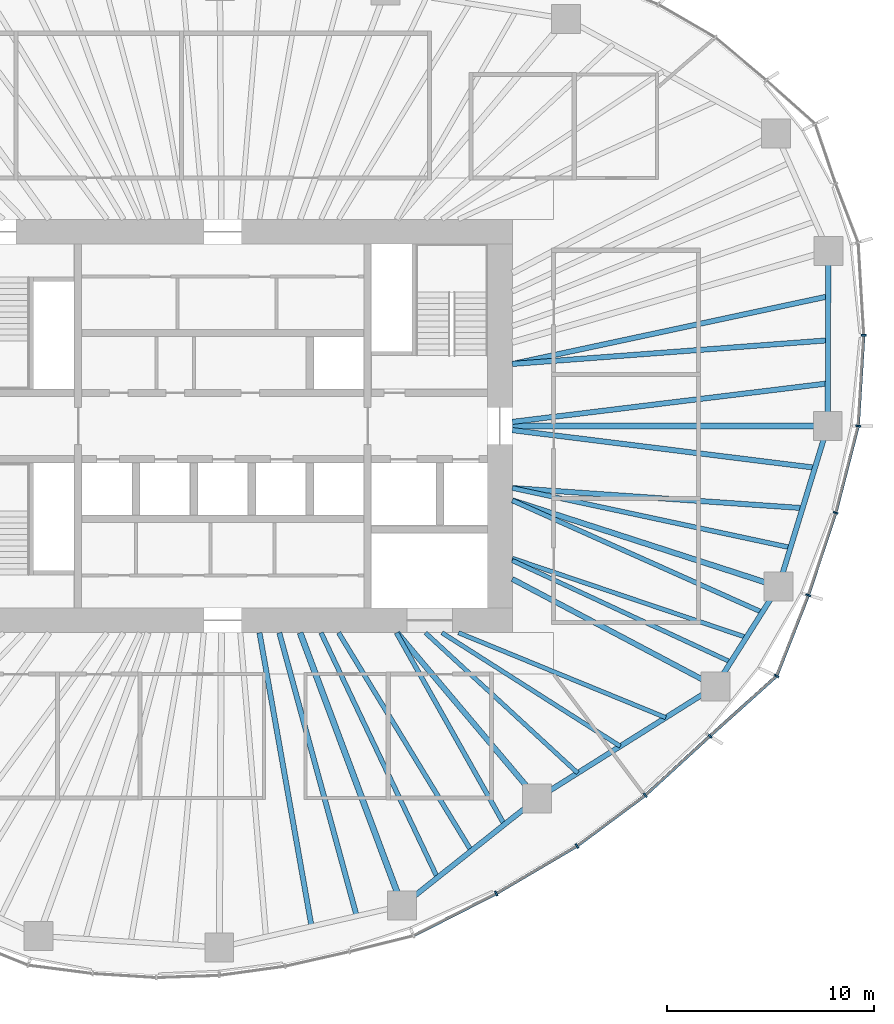
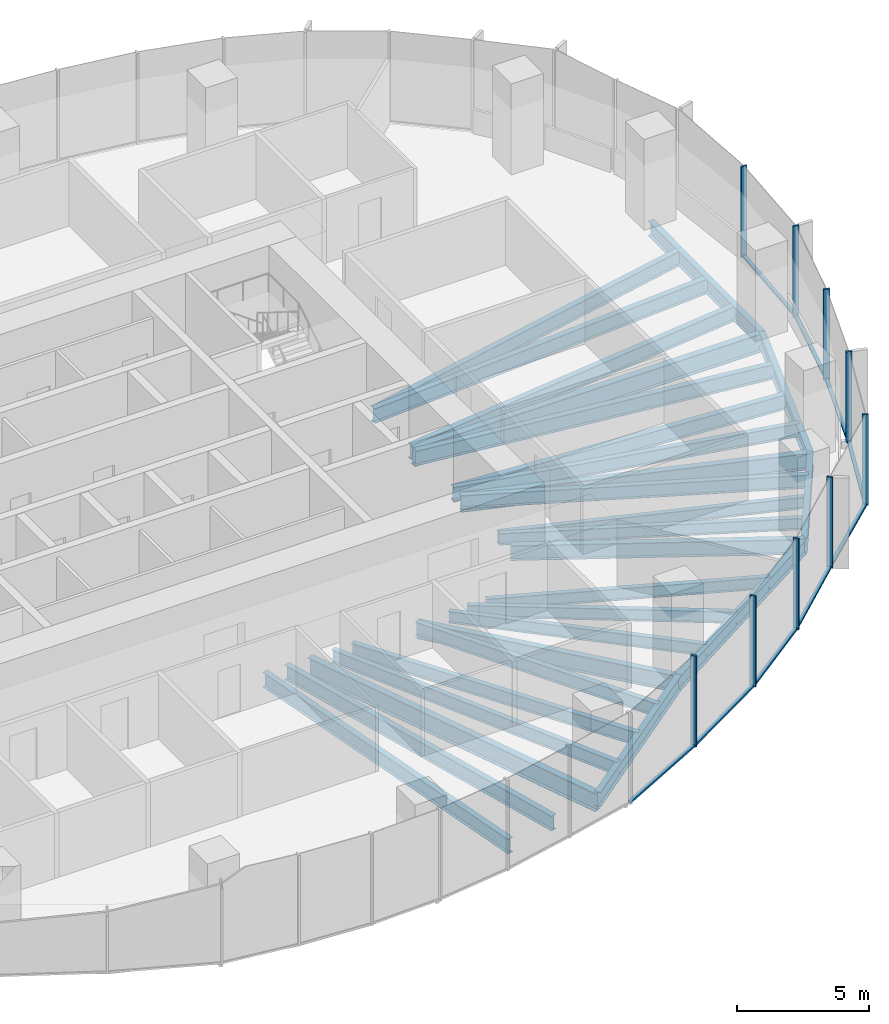
# One storey, part 4 of 18: 27 beams, 18 members, 5 elements without a shape of their own.
"""IFC4 building model written with IfcOpenShell, lengths in metres."""

from ifc_helpers import new_model, si_unit, direction, frame, origin, origin_2d, place, context, subcontext, project, spatial, rectangle, i_section, extrude, material, material_profile, profile_set, type_object, element, aggregate, save


model = new_model("IFC4")

# Units and contexts
model_context = context("Model", 3, precision=1e-05, world=origin(), true_north=direction((0.0, 1.0)))
body_context = subcontext(model_context, "Body", "Model", "MODEL_VIEW")
ifc_project = project(units=[si_unit("LENGTHUNIT", "METRE"), si_unit("AREAUNIT", "SQUARE_METRE"), si_unit("VOLUMEUNIT", "CUBIC_METRE"), si_unit("PLANEANGLEUNIT", "RADIAN"), si_unit("MASSUNIT", "GRAM", prefix="KILO")], contexts=[model_context])

# Site, building, storey
site_placement = place(None, origin())
site = spatial("IfcSite", under=ifc_project, at=site_placement, CompositionType="ELEMENT")
building_placement = place(site_placement, origin())
building = spatial("IfcBuilding", under=site, at=building_placement, Name="Ghaith Harvest Tower", CompositionType="ELEMENT")
storey_placement = place(building_placement, frame((0.0, 0.0, 176.39990234375)))
storey = spatial("IfcBuildingStorey", under=building, at=storey_placement, Name="L38", CompositionType="ELEMENT", Elevation=176.39990234375)

# Curtain wall, members
ifc_material_1 = material(Name="Black anodised aluminium and fritted glass", Category="aluminium")
curtain_wall_type = type_object("IfcCurtainWallType", Name="CW-L CURTAIN WALL", PredefinedType="NOTDEFINED", material=ifc_material_1)
curtain_wall_1_placement = place(storey_placement, origin())
curtain_wall_1 = element("IfcCurtainWall", 1, at=curtain_wall_1_placement, inside=storey, type_object=curtain_wall_type, Name="Curtain wall CW-L bay 01 L38", PredefinedType="NOTDEFINED")
ifc_material_2 = material(Name="Aluminium, black anodised", Category="aluminium")
ifc_material_profile_1 = material_profile(ifc_material_2, rectangle(XDim=0.080078125, YDim=0.239990234375, at=origin_2d()), Name="CW-L MULLION 80x240")
ifc_profile_set_1 = profile_set([ifc_material_profile_1], Name="Aluminium, black anodised")
member_type_1 = type_object("IfcMemberType", Name="CW-L MULLION 80x240", PredefinedType="MULLION", material=ifc_profile_set_1)
member_1_placement = place(storey_placement, frame((30.728759765625, 0.0, 0.0), z_axis=(0.0, 0.0, 1.0), x_axis=(0.155597142981, 0.987820595602, 0.0)))
member_1 = element("IfcMember", 2, at=member_1_placement, type_object=member_type_1, Name="CW-L mullion 1 bay 01 L38", PredefinedType="MULLION", context=body_context, shape_type="SweptSolid", body=[
    extrude(rectangle(XDim=0.080078125, YDim=0.239990234375, at=origin_2d()), origin(), (0.0, 0.0, 1.0), 4.2001953125),
])
member_2_placement = place(storey_placement, frame((30.998779296875, 4.389892578125, 0.0), z_axis=(0.0, 0.0, 1.0), x_axis=(-0.000162467394, 0.999999986802, 0.0)))
member_2 = element("IfcMember", 3, at=member_2_placement, type_object=member_type_1, Name="CW-L mullion 2 bay 01 L38", PredefinedType="MULLION", context=body_context, shape_type="SweptSolid", body=[
    extrude(rectangle(XDim=0.080078125, YDim=0.239990234375, at=origin_2d()), origin(), (0.0, 0.0, 1.0), 4.2001953125),
])

# Curtain wall, member
curtain_wall_2_placement = place(storey_placement, origin())
curtain_wall_2 = element("IfcCurtainWall", 4, at=curtain_wall_2_placement, inside=storey, type_object=curtain_wall_type, Name="Curtain wall CW-L bay 17 L38", PredefinedType="NOTDEFINED")
member_3_placement = place(storey_placement, frame((13.224365234375, -22.614013671875, 0.0), z_axis=(0.0, 0.0, 1.0), x_axis=(0.876898762173, 0.480675109507, 0.0)))
member_3 = element("IfcMember", 5, at=member_3_placement, type_object=member_type_1, Name="CW-L mullion 2 bay 17 L38", PredefinedType="MULLION", context=body_context, shape_type="SweptSolid", body=[
    extrude(rectangle(XDim=0.080078125, YDim=0.239990234375, at=origin_2d()), origin(), (0.0, 0.0, 1.0), 4.2001953125),
])

# Curtain wall, members
curtain_wall_3_placement = place(storey_placement, origin())
curtain_wall_3 = element("IfcCurtainWall", 6, at=curtain_wall_3_placement, inside=storey, type_object=curtain_wall_type, Name="Curtain wall CW-L bay 18 L38", PredefinedType="NOTDEFINED")
member_4_placement = place(storey_placement, frame((17.1318359375, -20.31591796875, 0.0), z_axis=(0.0, 0.0, 1.0), x_axis=(0.834887453241, 0.550420694035, 0.0)))
member_4 = element("IfcMember", 7, at=member_4_placement, type_object=member_type_1, Name="CW-L mullion 1 bay 18 L38", PredefinedType="MULLION", context=body_context, shape_type="SweptSolid", body=[
    extrude(rectangle(XDim=0.080078125, YDim=0.239990234375, at=origin_2d()), origin(), (0.0, 0.0, 1.0), 4.2001953125),
])
member_5_placement = place(storey_placement, frame((20.4296875, -17.86376953125, 0.0), z_axis=(0.0, 0.0, 1.0), x_axis=(0.770306399656, 0.637673937564, 0.0)))
member_5 = element("IfcMember", 8, at=member_5_placement, type_object=member_type_1, Name="CW-L mullion 2 bay 18 L38", PredefinedType="MULLION", context=body_context, shape_type="SweptSolid", body=[
    extrude(rectangle(XDim=0.080078125, YDim=0.239990234375, at=origin_2d()), origin(), (0.0, 0.0, 1.0), 4.2001953125),
])

curtain_wall_4_placement = place(storey_placement, origin())
curtain_wall_4 = element("IfcCurtainWall", 9, at=curtain_wall_4_placement, inside=storey, type_object=curtain_wall_type, Name="Curtain wall CW-L bay 19 L38", PredefinedType="NOTDEFINED")
member_6_placement = place(storey_placement, frame((23.560546875, -14.994140625, 0.0), z_axis=(0.0, 0.0, 1.0), x_axis=(0.740389054945, 0.672178582906, 0.0)))
member_6 = element("IfcMember", 10, at=member_6_placement, type_object=member_type_1, Name="CW-L mullion 1 bay 19 L38", PredefinedType="MULLION", context=body_context, shape_type="SweptSolid", body=[
    extrude(rectangle(XDim=0.080078125, YDim=0.239990234375, at=origin_2d()), origin(), (0.0, 0.0, 1.0), 4.2001953125),
])
member_7_placement = place(storey_placement, frame((26.786376953125, -12.0927734375, 0.0), z_axis=(0.0, 0.0, 1.0), x_axis=(0.572853476908, 0.819657790785, 0.0)))
member_7 = element("IfcMember", 11, at=member_7_placement, type_object=member_type_1, Name="CW-L mullion 2 bay 19 L38", PredefinedType="MULLION", context=body_context, shape_type="SweptSolid", body=[
    extrude(rectangle(XDim=0.080078125, YDim=0.239990234375, at=origin_2d()), origin(), (0.0, 0.0, 1.0), 4.2001953125),
])

curtain_wall_5_placement = place(storey_placement, origin())
curtain_wall_5 = element("IfcCurtainWall", 12, at=curtain_wall_5_placement, inside=storey, type_object=curtain_wall_type, Name="Curtain wall CW-L bay 20 L38", PredefinedType="NOTDEFINED")
member_8_placement = place(storey_placement, frame((28.319580078125, -8.184814453125, 0.0), z_axis=(0.0, 0.0, 1.0), x_axis=(0.34057402484, 0.94021770543, 0.0)))
member_8 = element("IfcMember", 13, at=member_8_placement, type_object=member_type_1, Name="CW-L mullion 1 bay 20 L38", PredefinedType="MULLION", context=body_context, shape_type="SweptSolid", body=[
    extrude(rectangle(XDim=0.080078125, YDim=0.239990234375, at=origin_2d()), origin(), (0.0, 0.0, 1.0), 4.2001953125),
])
member_9_placement = place(storey_placement, frame((29.64599609375, -4.1982421875, 0.0), z_axis=(0.0, 0.0, 1.0), x_axis=(0.282375140161, 0.959304060358, 0.0)))
member_9 = element("IfcMember", 14, at=member_9_placement, type_object=member_type_1, Name="CW-L mullion 2 bay 20 L38", PredefinedType="MULLION", context=body_context, shape_type="SweptSolid", body=[
    extrude(rectangle(XDim=0.080078125, YDim=0.239990234375, at=origin_2d()), origin(), (0.0, 0.0, 1.0), 4.2001953125),
])

# Member
ifc_material_3 = material(Name="Aluminium, black anodised", Category="aluminium")
ifc_material_profile_2 = material_profile(ifc_material_3, rectangle(XDim=0.14990234375, YDim=0.080078125, at=origin_2d()), Name="CW-L TRANSOM 150x80")
ifc_profile_set_2 = profile_set([ifc_material_profile_2], Name="Aluminium, black anodised")
member_type_2 = type_object("IfcMemberType", Name="CW-L TRANSOM 150x80", PredefinedType="USERDEFINED", material=ifc_profile_set_2)
member_10_placement = place(storey_placement, frame((30.731201171875, 0.0400390625, 0.0400390625), z_axis=(0.061403204251, 0.99811304295, 0.0), x_axis=(-0.99811304295, 0.061403204251, 0.0)))
member_10 = element("IfcMember", 15, at=member_10_placement, type_object=member_type_2, Name="CW-L transom 1 bay 01 L38", ObjectType="TRANSOM", PredefinedType="USERDEFINED", context=body_context, shape_type="SweptSolid", body=[
    extrude(rectangle(XDim=0.14990234375, YDim=0.080078125, at=origin_2d()), origin(), (0.0, 0.0, 1.0), 4.31787109375),
])

aggregate(curtain_wall_1, [member_1, member_10, member_2])

member_11_placement = place(storey_placement, frame((9.25244140625, -24.636474609375, 0.0400390625), z_axis=(0.891120044719, 0.453767634258, 0.0), x_axis=(-0.453767634258, 0.891120044719, 0.0)))
member_11 = element("IfcMember", 16, at=member_11_placement, type_object=member_type_2, Name="CW-L transom 1 bay 17 L38", ObjectType="TRANSOM", PredefinedType="USERDEFINED", context=body_context, shape_type="SweptSolid", body=[
    extrude(rectangle(XDim=0.14990234375, YDim=0.080078125, at=origin_2d()), origin(), (0.0, 0.0, 1.0), 4.417236328125),
])

member_12_placement = place(storey_placement, frame((13.259033203125, -22.59375, 0.0400390625), z_axis=(0.86196381091, 0.506969810424, 0.0), x_axis=(-0.506969810424, 0.86196381091, 0.0)))
member_12 = element("IfcMember", 17, at=member_12_placement, type_object=member_type_2, Name="CW-L transom 2 bay 17 L38", ObjectType="TRANSOM", PredefinedType="USERDEFINED", context=body_context, shape_type="SweptSolid", body=[
    extrude(rectangle(XDim=0.14990234375, YDim=0.080078125, at=origin_2d()), origin(), (0.0, 0.0, 1.0), 4.453125),
])

aggregate(curtain_wall_2, [member_11, member_3, member_12])

member_13_placement = place(storey_placement, frame((17.1640625, -20.2919921875, 0.0400390625), z_axis=(0.802465316609, 0.59669876457, 0.0), x_axis=(-0.59669876457, 0.802465316609, 0.0)))
member_13 = element("IfcMember", 18, at=member_13_placement, type_object=member_type_2, Name="CW-L transom 1 bay 18 L38", ObjectType="TRANSOM", PredefinedType="USERDEFINED", context=body_context, shape_type="SweptSolid", body=[
    extrude(rectangle(XDim=0.14990234375, YDim=0.080078125, at=origin_2d()), origin(), (0.0, 0.0, 1.0), 4.029296875),
])

member_14_placement = place(storey_placement, frame((20.459228515625, -17.836669921875, 0.0400390625), z_axis=(0.737197916434, 0.675676869521, 0.0), x_axis=(-0.675676869521, 0.737197916434, 0.0)))
member_14 = element("IfcMember", 19, at=member_14_placement, type_object=member_type_2, Name="CW-L transom 2 bay 18 L38", ObjectType="TRANSOM", PredefinedType="USERDEFINED", context=body_context, shape_type="SweptSolid", body=[
    extrude(rectangle(XDim=0.14990234375, YDim=0.080078125, at=origin_2d()), origin(), (0.0, 0.0, 1.0), 4.166748046875),
])

aggregate(curtain_wall_3, [member_4, member_13, member_5, member_14])

member_15_placement = place(storey_placement, frame((23.59033203125, -14.967529296875, 0.0400390625), z_axis=(0.74346800111, 0.668771509056, 0.0), x_axis=(-0.668771509056, 0.74346800111, 0.0)))
member_15 = element("IfcMember", 20, at=member_15_placement, type_object=member_type_2, Name="CW-L transom 1 bay 19 L38", ObjectType="TRANSOM", PredefinedType="USERDEFINED", context=body_context, shape_type="SweptSolid", body=[
    extrude(rectangle(XDim=0.14990234375, YDim=0.080078125, at=origin_2d()), origin(), (0.0, 0.0, 1.0), 4.2587890625),
])

member_16_placement = place(storey_placement, frame((26.801025390625, -12.055419921875, 0.0400390625), z_axis=(0.365228588652, 0.930917868575, 0.0), x_axis=(-0.930917868575, 0.365228588652, 0.0)))
member_16 = element("IfcMember", 21, at=member_16_placement, type_object=member_type_2, Name="CW-L transom 2 bay 19 L38", ObjectType="TRANSOM", PredefinedType="USERDEFINED", context=body_context, shape_type="SweptSolid", body=[
    extrude(rectangle(XDim=0.14990234375, YDim=0.080078125, at=origin_2d()), origin(), (0.0, 0.0, 1.0), 4.11767578125),
])

aggregate(curtain_wall_4, [member_6, member_15, member_7, member_16])

member_17_placement = place(storey_placement, frame((28.33203125, -8.14697265625, 0.0400390625), z_axis=(0.315712391444, 0.948854934059, 0.0), x_axis=(-0.948854934059, 0.315712391444, 0.0)))
member_17 = element("IfcMember", 22, at=member_17_placement, type_object=member_type_2, Name="CW-L transom 1 bay 20 L38", ObjectType="TRANSOM", PredefinedType="USERDEFINED", context=body_context, shape_type="SweptSolid", body=[
    extrude(rectangle(XDim=0.14990234375, YDim=0.080078125, at=origin_2d()), origin(), (0.0, 0.0, 1.0), 4.12158203125),
])

member_18_placement = place(storey_placement, frame((29.656005859375, -4.159423828125, 0.0400390625), z_axis=(0.249737470584, 0.968313583395, 0.0), x_axis=(-0.968313583395, 0.249737470584, 0.0)))
member_18 = element("IfcMember", 23, at=member_18_placement, type_object=member_type_2, Name="CW-L transom 2 bay 20 L38", ObjectType="TRANSOM", PredefinedType="USERDEFINED", context=body_context, shape_type="SweptSolid", body=[
    extrude(rectangle(XDim=0.14990234375, YDim=0.080078125, at=origin_2d()), origin(), (0.0, 0.0, 1.0), 4.25537109375),
])

aggregate(curtain_wall_5, [member_8, member_17, member_9, member_18])

# Beams
ifc_material_4 = material(Name="Steel ASTM A992 Grade 50", Category="steel")
ifc_material_profile_3 = material_profile(ifc_material_4, i_section(OverallWidth=0.25390625, OverallDepth=0.68408203125, WebThickness=0.012451171875, FlangeThickness=0.018798828125, at=origin_2d()), Name="W690X140")
ifc_profile_set_3 = profile_set([ifc_material_profile_3], Name="Steel ASTM A992 Grade 50")
beam_type_1 = type_object("IfcBeamType", Name="E690-140 W690X140", PredefinedType="SPANDREL", material=ifc_profile_set_3)
beam_1_placement = place(storey_placement, frame((29.259033203125, 0.0, -0.511962890625), z_axis=(0.003172847394, 0.999994966507, 0.0), x_axis=(-0.999994966507, 0.003172847394, 0.0)))
element("IfcBeam", 24, at=beam_1_placement, inside=storey, type_object=beam_type_1, Name="Edge beam E01 L38", PredefinedType="SPANDREL", context=body_context, shape_type="SweptSolid", body=[
    extrude(i_section(OverallWidth=0.25390625, OverallDepth=0.68408203125, WebThickness=0.012451171875, FlangeThickness=0.018798828125, at=origin_2d()), origin(), (0.0, 0.0, 1.0), 8.464111328125),
])
beam_2_placement = place(storey_placement, frame((8.674072265625, -23.202880859375, -0.511962890625), z_axis=(0.783159540917, 0.621820821033, 0.0), x_axis=(-0.621820821033, 0.783159540917, 0.0)))
element("IfcBeam", 25, at=beam_2_placement, inside=storey, type_object=beam_type_1, Name="Edge beam E17 L38", PredefinedType="SPANDREL", context=body_context, shape_type="SweptSolid", body=[
    extrude(i_section(OverallWidth=0.25390625, OverallDepth=0.68408203125, WebThickness=0.012451171875, FlangeThickness=0.018798828125, at=origin_2d()), origin(), (0.0, 0.0, 1.0), 8.330322265625),
])
beam_3_placement = place(storey_placement, frame((15.197998046875, -18.02294921875, -0.511962890625), z_axis=(0.846385185363, 0.532571232793, 0.0), x_axis=(-0.532571232793, 0.846385185363, 0.0)))
element("IfcBeam", 26, at=beam_3_placement, inside=storey, type_object=beam_type_1, Name="Edge beam E18 L38", PredefinedType="SPANDREL", context=body_context, shape_type="SweptSolid", body=[
    extrude(i_section(OverallWidth=0.25390625, OverallDepth=0.68408203125, WebThickness=0.012451171875, FlangeThickness=0.018798828125, at=origin_2d()), origin(), (0.0, 0.0, 1.0), 10.19384765625),
])
beam_4_placement = place(storey_placement, frame((23.825927734375, -12.593994140625, -0.511962890625), z_axis=(0.534499624093, 0.845168712059, 0.0), x_axis=(-0.845168712059, 0.534499624093, 0.0)))
element("IfcBeam", 27, at=beam_4_placement, inside=storey, type_object=beam_type_1, Name="Edge beam E19 L38", PredefinedType="SPANDREL", context=body_context, shape_type="SweptSolid", body=[
    extrude(i_section(OverallWidth=0.25390625, OverallDepth=0.68408203125, WebThickness=0.012451171875, FlangeThickness=0.018798828125, at=origin_2d()), origin(), (0.0, 0.0, 1.0), 5.7099609375),
])
beam_5_placement = place(storey_placement, frame((26.8779296875, -7.76806640625, -0.511962890625), z_axis=(0.293065809375, 0.956092271371, 0.0), x_axis=(-0.956092271371, 0.293065809375, 0.0)))
element("IfcBeam", 28, at=beam_5_placement, inside=storey, type_object=beam_type_1, Name="Edge beam E20 L38", PredefinedType="SPANDREL", context=body_context, shape_type="SweptSolid", body=[
    extrude(i_section(OverallWidth=0.25390625, OverallDepth=0.68408203125, WebThickness=0.012451171875, FlangeThickness=0.018798828125, at=origin_2d()), origin(), (0.0, 0.0, 1.0), 8.124755859375),
])
ifc_material_5 = material(Name="Steel ASTM A992 Grade 50", Category="steel")
ifc_material_profile_4 = material_profile(ifc_material_5, i_section(OverallWidth=0.256103515625, OverallDepth=0.693115234375, WebThickness=0.014404296875, FlangeThickness=0.023681640625, at=origin_2d()), Name="W690X170")
ifc_profile_set_4 = profile_set([ifc_material_profile_4], Name="Steel ASTM A992 Grade 50")
beam_type_2 = type_object("IfcBeamType", Name="G690-170 W690X170", PredefinedType="BEAM", material=ifc_profile_set_4)
beam_6_placement = place(storey_placement, frame((14.0, -7.39990234375, -0.516357421875), z_axis=(0.884080549082, -0.467334551189, 0.0), x_axis=(0.467334551189, 0.884080549082, 0.0)))
element("IfcBeam", 29, at=beam_6_placement, inside=storey, type_object=beam_type_2, Name="Radial girder G19 L38", PredefinedType="BEAM", context=body_context, shape_type="SweptSolid", body=[
    extrude(i_section(OverallWidth=0.256103515625, OverallDepth=0.693115234375, WebThickness=0.014404296875, FlangeThickness=0.023681640625, at=origin_2d()), origin(), (0.0, 0.0, 1.0), 11.1142578125),
])
ifc_material_6 = material(Name="Steel ASTM A992 Grade 50", Category="steel")
ifc_material_profile_5 = material_profile(ifc_material_6, i_section(OverallWidth=0.26806640625, OverallDepth=0.77001953125, WebThickness=0.015625, FlangeThickness=0.025390625, at=origin_2d()), Name="W760X196")
ifc_profile_set_5 = profile_set([ifc_material_profile_5], Name="Steel ASTM A992 Grade 50")
beam_type_3 = type_object("IfcBeamType", Name="G760-196 W760X196", PredefinedType="BEAM", material=ifc_profile_set_5)
beam_7_placement = place(storey_placement, frame((8.4326171875, -10.0, -0.554931640625), z_axis=(0.644649240595, -0.764478486682, 0.0), x_axis=(0.764478486682, 0.644649240595, 0.0)))
element("IfcBeam", 30, at=beam_7_placement, inside=storey, type_object=beam_type_3, Name="Radial girder G18 L38", PredefinedType="BEAM", context=body_context, shape_type="SweptSolid", body=[
    extrude(i_section(OverallWidth=0.26806640625, OverallDepth=0.77001953125, WebThickness=0.015625, FlangeThickness=0.025390625, at=origin_2d()), origin(), (0.0, 0.0, 1.0), 10.49462890625),
])
beam_8_placement = place(storey_placement, frame((14.0, -3.60009765625, -0.554931640625), z_axis=(0.951410331565, -0.307925934262, 0.0), x_axis=(0.307925934262, 0.951410331565, 0.0)))
element("IfcBeam", 31, at=beam_8_placement, inside=storey, type_object=beam_type_3, Name="Radial girder G20 L38", PredefinedType="BEAM", context=body_context, shape_type="SweptSolid", body=[
    extrude(i_section(OverallWidth=0.26806640625, OverallDepth=0.77001953125, WebThickness=0.015625, FlangeThickness=0.025390625, at=origin_2d()), origin(), (0.0, 0.0, 1.0), 13.53564453125),
])
ifc_material_7 = material(Name="Steel ASTM A992 Grade 50", Category="steel")
ifc_material_profile_6 = material_profile(ifc_material_7, i_section(OverallWidth=0.2939453125, OverallDepth=0.85107421875, WebThickness=0.01611328125, FlangeThickness=0.02685546875, at=origin_2d()), Name="W840X226")
ifc_profile_set_6 = profile_set([ifc_material_profile_6], Name="Steel ASTM A992 Grade 50")
beam_type_4 = type_object("IfcBeamType", Name="G840-226 W840X226", PredefinedType="BEAM", material=ifc_profile_set_6)
beam_9_placement = place(storey_placement, frame((14.0, 0.0, -0.595458984375), z_axis=(1.0, 0.0, 0.0), x_axis=(0.0, 1.0, 0.0)))
element("IfcBeam", 32, at=beam_9_placement, inside=storey, type_object=beam_type_4, Name="Radial girder G01 L38", PredefinedType="BEAM", context=body_context, shape_type="SweptSolid", body=[
    extrude(i_section(OverallWidth=0.2939453125, OverallDepth=0.85107421875, WebThickness=0.01611328125, FlangeThickness=0.02685546875, at=origin_2d()), origin(), (0.0, 0.0, 1.0), 15.259033203125),
])
beam_10_placement = place(storey_placement, frame((3.73828125, -10.0, -0.595458984375), z_axis=(0.350172283717, -0.936685310932, 0.0), x_axis=(0.936685310932, 0.350172283717, 0.0)))
element("IfcBeam", 33, at=beam_10_placement, inside=storey, type_object=beam_type_4, Name="Radial girder G17 L38", PredefinedType="BEAM", context=body_context, shape_type="SweptSolid", body=[
    extrude(i_section(OverallWidth=0.2939453125, OverallDepth=0.85107421875, WebThickness=0.01611328125, FlangeThickness=0.02685546875, at=origin_2d()), origin(), (0.0, 0.0, 1.0), 14.09521484375),
])
ifc_material_8 = material(Name="Steel ASTM A992 Grade 50", Category="steel")
ifc_material_profile_7 = material_profile(ifc_material_8, i_section(OverallWidth=0.2109375, OverallDepth=0.5390625, WebThickness=0.01171875, FlangeThickness=0.018798828125, at=origin_2d()), Name="W530X109")
ifc_profile_set_7 = profile_set([ifc_material_profile_7], Name="Steel ASTM A992 Grade 50")
beam_type_5 = type_object("IfcBeamType", Name="J530-109 W530X109", PredefinedType="JOIST", material=ifc_profile_set_7)
beam_11_placement = place(storey_placement, frame((9.800048828125, -10.0, -0.439453125), z_axis=(0.735441512033, -0.677588210035, 0.0), x_axis=(0.677588210035, 0.735441512033, 0.0)))
element("IfcBeam", 34, at=beam_11_placement, inside=storey, type_object=beam_type_5, Name="Joist J18.1 L38", PredefinedType="JOIST", context=body_context, shape_type="SweptSolid", body=[
    extrude(i_section(OverallWidth=0.2109375, OverallDepth=0.5390625, WebThickness=0.01171875, FlangeThickness=0.018798828125, at=origin_2d()), origin(), (0.0, 0.0, 1.0), 10.01416015625),
])
beam_12_placement = place(storey_placement, frame((10.60009765625, -10.0, -0.439453125), z_axis=(0.843584777848, -0.536996017288, 0.0), x_axis=(0.536996017288, 0.843584777848, 0.0)))
element("IfcBeam", 35, at=beam_12_placement, inside=storey, type_object=beam_type_5, Name="Joist J18.2 L38", PredefinedType="JOIST", context=body_context, shape_type="SweptSolid", body=[
    extrude(i_section(OverallWidth=0.2109375, OverallDepth=0.5390625, WebThickness=0.01171875, FlangeThickness=0.018798828125, at=origin_2d()), origin(), (0.0, 0.0, 1.0), 10.22314453125),
])
beam_13_placement = place(storey_placement, frame((11.39990234375, -10.0, -0.439453125), z_axis=(0.925406878607, -0.378975077053, 0.0), x_axis=(0.378975077053, 0.925406878607, 0.0)))
element("IfcBeam", 36, at=beam_13_placement, inside=storey, type_object=beam_type_5, Name="Joist J18.3 L38", PredefinedType="JOIST", context=body_context, shape_type="SweptSolid", body=[
    extrude(i_section(OverallWidth=0.2109375, OverallDepth=0.5390625, WebThickness=0.01171875, FlangeThickness=0.018798828125, at=origin_2d()), origin(), (0.0, 0.0, 1.0), 10.83251953125),
])
beam_14_placement = place(storey_placement, frame((14.0, -6.506103515625, -0.439453125), z_axis=(0.906863188232, -0.421425150922, 0.0), x_axis=(0.421425150922, 0.906863188232, 0.0)))
element("IfcBeam", 37, at=beam_14_placement, inside=storey, type_object=beam_type_5, Name="Joist J19.1 L38", PredefinedType="JOIST", context=body_context, shape_type="SweptSolid", body=[
    extrude(i_section(OverallWidth=0.2109375, OverallDepth=0.5390625, WebThickness=0.01171875, FlangeThickness=0.018798828125, at=origin_2d()), origin(), (0.0, 0.0, 1.0), 11.6552734375),
])
beam_15_placement = place(storey_placement, frame((14.0, -6.39990234375, -0.439453125), z_axis=(0.947372072272, -0.320134591508, 0.0), x_axis=(0.320134591508, 0.947372072272, 0.0)))
element("IfcBeam", 38, at=beam_15_placement, inside=storey, type_object=beam_type_5, Name="Joist J19.2 L38", PredefinedType="JOIST", context=body_context, shape_type="SweptSolid", body=[
    extrude(i_section(OverallWidth=0.2109375, OverallDepth=0.5390625, WebThickness=0.01171875, FlangeThickness=0.018798828125, at=origin_2d()), origin(), (0.0, 0.0, 1.0), 11.95263671875),
])
ifc_material_9 = material(Name="Steel ASTM A992 Grade 50", Category="steel")
ifc_material_profile_8 = material_profile(ifc_material_9, i_section(OverallWidth=0.22900390625, OverallDepth=0.612060546875, WebThickness=0.011962890625, FlangeThickness=0.01953125, at=origin_2d()), Name="W610X125")
ifc_profile_set_8 = profile_set([ifc_material_profile_8], Name="Steel ASTM A992 Grade 50")
beam_type_6 = type_object("IfcBeamType", Name="J610-125 W610X125", PredefinedType="JOIST", material=ifc_profile_set_8)
beam_16_placement = place(storey_placement, frame((4.75, -10.0, -0.475830078125), z_axis=(0.429062888327, -0.903274619294, 0.0), x_axis=(0.903274619294, 0.429062888327, 0.0)))
element("IfcBeam", 39, at=beam_16_placement, inside=storey, type_object=beam_type_6, Name="Joist J17.1 L38", PredefinedType="JOIST", context=body_context, shape_type="SweptSolid", body=[
    extrude(i_section(OverallWidth=0.22900390625, OverallDepth=0.612060546875, WebThickness=0.011962890625, FlangeThickness=0.01953125, at=origin_2d()), origin(), (0.0, 0.0, 1.0), 13.118408203125),
])
beam_17_placement = place(storey_placement, frame((5.60009765625, -10.0, -0.475830078125), z_axis=(0.51969412955, -0.854352393167, 0.0), x_axis=(0.854352393167, 0.51969412955, 0.0)))
element("IfcBeam", 40, at=beam_17_placement, inside=storey, type_object=beam_type_6, Name="Joist J17.2 L38", PredefinedType="JOIST", context=body_context, shape_type="SweptSolid", body=[
    extrude(i_section(OverallWidth=0.22900390625, OverallDepth=0.612060546875, WebThickness=0.011962890625, FlangeThickness=0.01953125, at=origin_2d()), origin(), (0.0, 0.0, 1.0), 12.34716796875),
])
beam_18_placement = place(storey_placement, frame((8.39990234375, -10.0, -0.475830078125), z_axis=(0.489936713337, -0.871758003648, 0.0), x_axis=(0.871758003648, 0.489936713337, 0.0)))
element("IfcBeam", 41, at=beam_18_placement, inside=storey, type_object=beam_type_6, Name="Joist J17.3 L38", PredefinedType="JOIST", context=body_context, shape_type="SweptSolid", body=[
    extrude(i_section(OverallWidth=0.22900390625, OverallDepth=0.612060546875, WebThickness=0.011962890625, FlangeThickness=0.01953125, at=origin_2d()), origin(), (0.0, 0.0, 1.0), 10.64501953125),
])
beam_19_placement = place(storey_placement, frame((14.0, -3.60009765625, -0.475830078125), z_axis=(0.912738327266, -0.408544668231, 0.0), x_axis=(0.408544668231, 0.912738327266, 0.0)))
element("IfcBeam", 42, at=beam_19_placement, inside=storey, type_object=beam_type_6, Name="Joist J19.3 L38", PredefinedType="JOIST", context=body_context, shape_type="SweptSolid", body=[
    extrude(i_section(OverallWidth=0.22900390625, OverallDepth=0.612060546875, WebThickness=0.011962890625, FlangeThickness=0.01953125, at=origin_2d()), origin(), (0.0, 0.0, 1.0), 13.247314453125),
])
beam_20_placement = place(storey_placement, frame((14.0, -3.0, -0.475830078125), z_axis=(0.97783433664, -0.209380061343, 0.0), x_axis=(0.209380061343, 0.97783433664, 0.0)))
element("IfcBeam", 43, at=beam_20_placement, inside=storey, type_object=beam_type_6, Name="Joist J20.1 L38", PredefinedType="JOIST", context=body_context, shape_type="SweptSolid", body=[
    extrude(i_section(OverallWidth=0.22900390625, OverallDepth=0.612060546875, WebThickness=0.011962890625, FlangeThickness=0.01953125, at=origin_2d()), origin(), (0.0, 0.0, 1.0), 13.76123046875),
])
ifc_material_10 = material(Name="Steel ASTM A992 Grade 50", Category="steel")
ifc_material_profile_9 = material_profile(ifc_material_10, i_section(OverallWidth=0.25390625, OverallDepth=0.68408203125, WebThickness=0.012451171875, FlangeThickness=0.018798828125, at=origin_2d()), Name="W690X140")
ifc_profile_set_9 = profile_set([ifc_material_profile_9], Name="Steel ASTM A992 Grade 50")
beam_type_7 = type_object("IfcBeamType", Name="J690-140 W690X140", PredefinedType="JOIST", material=ifc_profile_set_9)
beam_21_placement = place(storey_placement, frame((14.0, 0.199951171875, -0.511962890625), z_axis=(0.992642759881, 0.121079937462, 0.0), x_axis=(-0.121079937462, 0.992642759881, 0.0)))
element("IfcBeam", 44, at=beam_21_placement, inside=storey, type_object=beam_type_7, Name="Joist J01.1 L38", PredefinedType="JOIST", context=body_context, shape_type="SweptSolid", body=[
    extrude(i_section(OverallWidth=0.25390625, OverallDepth=0.68408203125, WebThickness=0.012451171875, FlangeThickness=0.018798828125, at=origin_2d()), origin(), (0.0, 0.0, 1.0), 15.378662109375),
])
beam_22_placement = place(storey_placement, frame((14.0, 3.0, -0.511962890625), z_axis=(0.997200052902, 0.074780040735, 0.0), x_axis=(-0.074780040735, 0.997200052902, 0.0)))
element("IfcBeam", 45, at=beam_22_placement, inside=storey, type_object=beam_type_7, Name="Joist J01.2 L38", PredefinedType="JOIST", context=body_context, shape_type="SweptSolid", body=[
    extrude(i_section(OverallWidth=0.25390625, OverallDepth=0.68408203125, WebThickness=0.012451171875, FlangeThickness=0.018798828125, at=origin_2d()), origin(), (0.0, 0.0, 1.0), 15.315185546875),
])
beam_23_placement = place(storey_placement, frame((14.0, 3.0, -0.511962890625), z_axis=(0.977833271545, 0.209385035425, 0.0), x_axis=(-0.209385035425, 0.977833271545, 0.0)))
element("IfcBeam", 46, at=beam_23_placement, inside=storey, type_object=beam_type_7, Name="Joist J01.3 L38", PredefinedType="JOIST", context=body_context, shape_type="SweptSolid", body=[
    extrude(i_section(OverallWidth=0.25390625, OverallDepth=0.68408203125, WebThickness=0.012451171875, FlangeThickness=0.018798828125, at=origin_2d()), origin(), (0.0, 0.0, 1.0), 15.62548828125),
])
beam_24_placement = place(storey_placement, frame((1.772705078125, -10.0, -0.511962890625), z_axis=(0.174552818486, -0.98464781194, 0.0), x_axis=(0.98464781194, 0.174552818486, 0.0)))
element("IfcBeam", 47, at=beam_24_placement, inside=storey, type_object=beam_type_7, Name="Joist J16.2 L38", PredefinedType="JOIST", context=body_context, shape_type="SweptSolid", body=[
    extrude(i_section(OverallWidth=0.25390625, OverallDepth=0.68408203125, WebThickness=0.012451171875, FlangeThickness=0.018798828125, at=origin_2d()), origin(), (0.0, 0.0, 1.0), 14.42578125),
])
beam_25_placement = place(storey_placement, frame((2.73095703125, -10.0, -0.511962890625), z_axis=(0.263463446032, -0.964669379946, 0.0), x_axis=(0.964669379946, 0.263463446032, 0.0)))
element("IfcBeam", 48, at=beam_25_placement, inside=storey, type_object=beam_type_7, Name="Joist J16.3 L38", PredefinedType="JOIST", context=body_context, shape_type="SweptSolid", body=[
    extrude(i_section(OverallWidth=0.25390625, OverallDepth=0.68408203125, WebThickness=0.012451171875, FlangeThickness=0.018798828125, at=origin_2d()), origin(), (0.0, 0.0, 1.0), 14.20751953125),
])
beam_26_placement = place(storey_placement, frame((14.0, -3.0, -0.511962890625), z_axis=(0.997616678907, -0.068999724397, 0.0), x_axis=(0.068999724397, 0.997616678907, 0.0)))
element("IfcBeam", 49, at=beam_26_placement, inside=storey, type_object=beam_type_7, Name="Joist J20.2 L38", PredefinedType="JOIST", context=body_context, shape_type="SweptSolid", body=[
    extrude(i_section(OverallWidth=0.25390625, OverallDepth=0.68408203125, WebThickness=0.012451171875, FlangeThickness=0.018798828125, at=origin_2d()), origin(), (0.0, 0.0, 1.0), 14.0751953125),
])
beam_27_placement = place(storey_placement, frame((14.0, -0.199951171875, -0.511962890625), z_axis=(0.992379127816, -0.123222021874, 0.0), x_axis=(0.123222021874, 0.992379127816, 0.0)))
element("IfcBeam", 50, at=beam_27_placement, inside=storey, type_object=beam_type_7, Name="Joist J20.3 L38", PredefinedType="JOIST", context=body_context, shape_type="SweptSolid", body=[
    extrude(i_section(OverallWidth=0.25390625, OverallDepth=0.68408203125, WebThickness=0.012451171875, FlangeThickness=0.018798828125, at=origin_2d()), origin(), (0.0, 0.0, 1.0), 14.7529296875),
])

save(model, "model.ifc")
